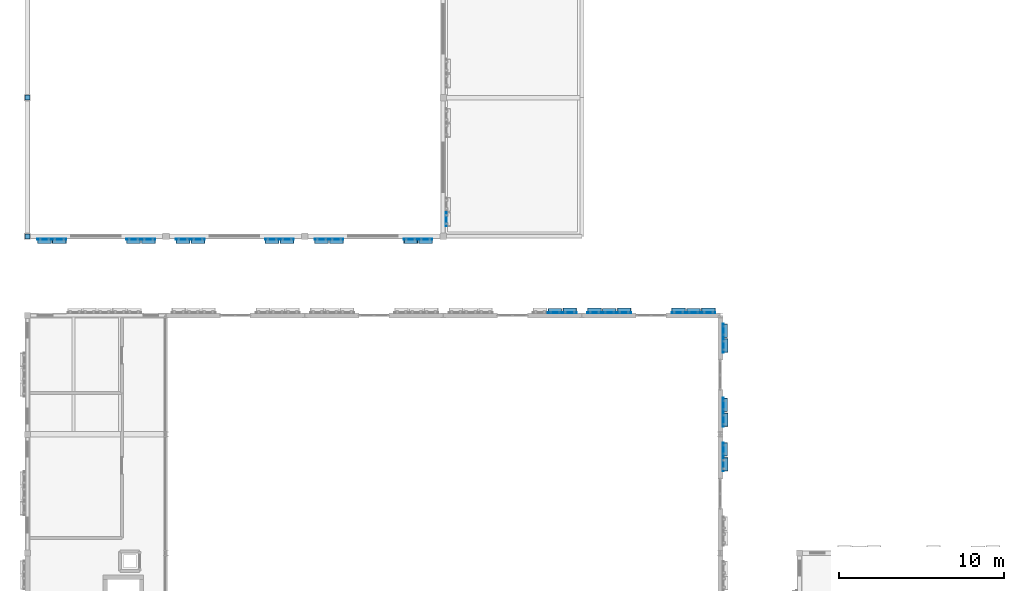
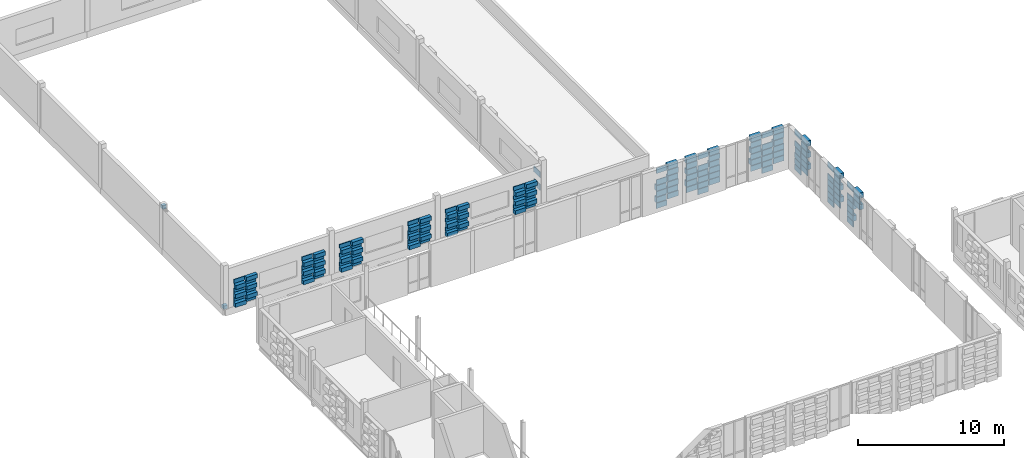
# One storey, part 30 of 57: 157 plates.
"""IFC4 building model written with IfcOpenShell, lengths in metres."""

from ifc_helpers import new_model, si_unit, direction, frame, origin, origin_2d, place, context, subcontext, project, spatial, rectangle, extrude, material, layer, layer_set, type_object, element, save


model = new_model("IFC4")

# Units and contexts
model_context = context("Model", 3, precision=1e-05, world=origin(), true_north=direction((0.0, 1.0)))
body_context = subcontext(model_context, "Body", "Model", "MODEL_VIEW")
ifc_project = project(units=[si_unit("LENGTHUNIT", "METRE"), si_unit("AREAUNIT", "SQUARE_METRE"), si_unit("VOLUMEUNIT", "CUBIC_METRE"), si_unit("PLANEANGLEUNIT", "RADIAN"), si_unit("MASSUNIT", "GRAM", prefix="KILO")], contexts=[model_context])

# Site, building, storey
site_placement = place(None, origin())
site = spatial("IfcSite", under=ifc_project, at=site_placement, CompositionType="ELEMENT")
building_placement = place(site_placement, origin())
building = spatial("IfcBuilding", under=site, at=building_placement, Name="Kahlenmark Community Centre", CompositionType="ELEMENT")
storey_placement = place(building_placement, frame((0.0, 0.0, 13.800048828125)))
storey = spatial("IfcBuildingStorey", under=building, at=storey_placement, Name="L03", CompositionType="ELEMENT", Elevation=13.800048828125)

# Plates
ifc_material_1 = material(Name="Extruded warm terracotta recessed weave tile", Category="masonry")
ifc_layer_1 = layer(ifc_material_1, 0.06005859375)
ifc_layer_set_1 = layer_set([ifc_layer_1], Name="Extruded warm terracotta recessed weave tile")
plate_type_1 = type_object("IfcPlateType", Name="PLT-TC-TC-R10-840X60X333", PredefinedType="SHEET", material=ifc_layer_set_1)
for number, where, z_axis, x_axis, name in (
    (1, (5.929931640625, 42.219970703125, 0.099853515625), (0.0, 0.0, 1.0), (1.0, 0.0, 0.0), "Basketweave terracotta cassette 3962"),
    (2, (5.929931640625, 42.219970703125, 0.845947265625), (0.0, 0.0, 1.0), (1.0, 0.0, 0.0), "Basketweave terracotta cassette 3964"),
    (3, (5.929931640625, 42.219970703125, 1.592041015625), (0.0, 0.0, 1.0), (1.0, 0.0, 0.0), "Basketweave terracotta cassette 3966"),
    (4, (11.330078125, 42.219970703125, 0.099853515625), (0.0, 0.0, 1.0), (1.0, 0.0, 0.0), "Basketweave terracotta cassette 3974"),
    (5, (11.330078125, 42.219970703125, 0.845947265625), (0.0, 0.0, 1.0), (1.0, 0.0, 0.0), "Basketweave terracotta cassette 3976"),
    (6, (11.330078125, 42.219970703125, 1.592041015625), (0.0, 0.0, 1.0), (1.0, 0.0, 0.0), "Basketweave terracotta cassette 3978"),
    (7, (14.330078125, 42.219970703125, 0.099853515625), (0.0, 0.0, 1.0), (1.0, 0.0, 0.0), "Basketweave terracotta cassette 3986"),
    (8, (14.330078125, 42.219970703125, 0.845947265625), (0.0, 0.0, 1.0), (1.0, 0.0, 0.0), "Basketweave terracotta cassette 3988"),
    (9, (14.330078125, 42.219970703125, 1.592041015625), (0.0, 0.0, 1.0), (1.0, 0.0, 0.0), "Basketweave terracotta cassette 3990"),
    (10, (19.72998046875, 42.219970703125, 0.099853515625), (0.0, 0.0, 1.0), (1.0, 0.0, 0.0), "Basketweave terracotta cassette 3998"),
    (11, (19.72998046875, 42.219970703125, 0.845947265625), (0.0, 0.0, 1.0), (1.0, 0.0, 0.0), "Basketweave terracotta cassette 4000"),
    (12, (19.72998046875, 42.219970703125, 1.592041015625), (0.0, 0.0, 1.0), (1.0, 0.0, 0.0), "Basketweave terracotta cassette 4002"),
    (13, (22.72998046875, 42.219970703125, 0.099853515625), (0.0, 0.0, 1.0), (1.0, 0.0, 0.0), "Basketweave terracotta cassette 4010"),
    (14, (22.72998046875, 42.219970703125, 0.845947265625), (0.0, 0.0, 1.0), (1.0, 0.0, 0.0), "Basketweave terracotta cassette 4012"),
    (15, (22.72998046875, 42.219970703125, 1.592041015625), (0.0, 0.0, 1.0), (1.0, 0.0, 0.0), "Basketweave terracotta cassette 4014"),
    (16, (28.1298828125, 42.219970703125, 0.099853515625), (0.0, 0.0, 1.0), (1.0, 0.0, 0.0), "Basketweave terracotta cassette 4022"),
    (17, (28.1298828125, 42.219970703125, 0.845947265625), (0.0, 0.0, 1.0), (1.0, 0.0, 0.0), "Basketweave terracotta cassette 4024"),
    (18, (28.1298828125, 42.219970703125, 1.592041015625), (0.0, 0.0, 1.0), (1.0, 0.0, 0.0), "Basketweave terracotta cassette 4026"),
):
    element("IfcPlate", number, at=place(storey_placement, frame(where, z_axis=z_axis, x_axis=x_axis)), inside=storey, type_object=plate_type_1, Name=name, PredefinedType="SHEET", context=body_context, shape_type="SweptSolid", body=[
        extrude(rectangle(XDim=0.840087890625, YDim=0.06005859375, at=origin_2d()), origin(), (0.0, 0.0, 1.0), 0.3330078125),
    ])
ifc_layer_2 = layer(ifc_material_1, 0.06005859375)
ifc_layer_set_2 = layer_set([ifc_layer_2], Name="Extruded warm terracotta recessed weave tile")
plate_type_2 = type_object("IfcPlateType", Name="PLT-TC-TC-R10-840X60X450", PredefinedType="SHEET", material=ifc_layer_set_2)
for number, where, z_axis, x_axis, name in (
    (19, (35.969970703125, 37.780029296875, 0.10009765625), (0.0, 0.0, 1.0), (-1.0, 0.0, 0.0), "Basketweave terracotta cassette 3683"),
    (20, (35.969970703125, 37.780029296875, 1.080078125), (0.0, 0.0, 1.0), (-1.0, 0.0, 0.0), "Basketweave terracotta cassette 3685"),
    (21, (35.969970703125, 37.780029296875, 2.06005859375), (0.0, 0.0, 1.0), (-1.0, 0.0, 0.0), "Basketweave terracotta cassette 3687"),
    (22, (35.969970703125, 37.780029296875, 3.0400390625), (0.0, 0.0, 1.0), (-1.0, 0.0, 0.0), "Basketweave terracotta cassette 3689"),
    (23, (44.3701171875, 37.780029296875, 0.10009765625), (0.0, 0.0, 1.0), (-1.0, 0.0, 0.0), "Basketweave terracotta cassette 3725"),
    (24, (44.3701171875, 37.780029296875, 1.080078125), (0.0, 0.0, 1.0), (-1.0, 0.0, 0.0), "Basketweave terracotta cassette 3727"),
    (25, (44.3701171875, 37.780029296875, 2.06005859375), (0.0, 0.0, 1.0), (-1.0, 0.0, 0.0), "Basketweave terracotta cassette 3729"),
    (26, (44.3701171875, 37.780029296875, 3.0400390625), (0.0, 0.0, 1.0), (-1.0, 0.0, 0.0), "Basketweave terracotta cassette 3731"),
    (27, (39.27001953125, 37.780029296875, 0.10009765625), (0.0, 0.0, 1.0), (-1.0, 0.0, 0.0), "Basketweave terracotta cassette 3746"),
    (28, (39.27001953125, 37.780029296875, 1.080078125), (0.0, 0.0, 1.0), (-1.0, 0.0, 0.0), "Basketweave terracotta cassette 3748"),
    (29, (39.27001953125, 37.780029296875, 2.06005859375), (0.0, 0.0, 1.0), (-1.0, 0.0, 0.0), "Basketweave terracotta cassette 3750"),
    (30, (39.27001953125, 37.780029296875, 3.0400390625), (0.0, 0.0, 1.0), (-1.0, 0.0, 0.0), "Basketweave terracotta cassette 3752"),
    (31, (46.179931640625, 29.47998046875, 0.10009765625), (0.0, 0.0, 1.0), (0.0, 1.0, 0.0), "Basketweave terracotta cassette 3921"),
    (32, (46.179931640625, 29.47998046875, 1.080078125), (0.0, 0.0, 1.0), (0.0, 1.0, 0.0), "Basketweave terracotta cassette 3923"),
    (33, (46.179931640625, 29.47998046875, 2.06005859375), (0.0, 0.0, 1.0), (0.0, 1.0, 0.0), "Basketweave terracotta cassette 3925"),
    (34, (46.179931640625, 29.47998046875, 3.0400390625), (0.0, 0.0, 1.0), (0.0, 1.0, 0.0), "Basketweave terracotta cassette 3927"),
    (35, (46.179931640625, 32.179931640625, 0.10009765625), (0.0, 0.0, 1.0), (0.0, 1.0, 0.0), "Basketweave terracotta cassette 3935"),
    (36, (46.179931640625, 32.179931640625, 1.080078125), (0.0, 0.0, 1.0), (0.0, 1.0, 0.0), "Basketweave terracotta cassette 3937"),
    (37, (46.179931640625, 32.179931640625, 2.06005859375), (0.0, 0.0, 1.0), (0.0, 1.0, 0.0), "Basketweave terracotta cassette 3939"),
    (38, (46.179931640625, 32.179931640625, 3.0400390625), (0.0, 0.0, 1.0), (0.0, 1.0, 0.0), "Basketweave terracotta cassette 3941"),
    (39, (46.179931640625, 36.679931640625, 0.10009765625), (0.0, 0.0, 1.0), (0.0, 1.0, 0.0), "Basketweave terracotta cassette 3949"),
    (40, (46.179931640625, 36.679931640625, 1.080078125), (0.0, 0.0, 1.0), (0.0, 1.0, 0.0), "Basketweave terracotta cassette 3951"),
    (41, (46.179931640625, 36.679931640625, 2.06005859375), (0.0, 0.0, 1.0), (0.0, 1.0, 0.0), "Basketweave terracotta cassette 3953"),
    (42, (46.179931640625, 36.679931640625, 3.0400390625), (0.0, 0.0, 1.0), (0.0, 1.0, 0.0), "Basketweave terracotta cassette 3955"),
):
    element("IfcPlate", number, at=place(storey_placement, frame(where, z_axis=z_axis, x_axis=x_axis)), inside=storey, type_object=plate_type_2, Name=name, PredefinedType="SHEET", context=body_context, shape_type="SweptSolid", body=[
        extrude(rectangle(XDim=0.840087890625, YDim=0.06005859375, at=origin_2d()), origin(), (0.0, 0.0, 1.0), 0.449951171875),
    ])
ifc_layer_3 = layer(ifc_material_1, 0.06005859375)
ifc_layer_set_3 = layer_set([ifc_layer_3], Name="Extruded warm terracotta recessed weave tile")
plate_type_3 = type_object("IfcPlateType", Name="PLT-TC-TC-R10-860X60X333", PredefinedType="SHEET", material=ifc_layer_set_3)
for number, where, z_axis, x_axis, name in (
    (43, (5.030029296875, 42.219970703125, 0.472900390625), (0.0, 0.0, 1.0), (1.0, 0.0, 0.0), "Basketweave terracotta cassette 3957"),
    (44, (5.030029296875, 42.219970703125, 1.218994140625), (0.0, 0.0, 1.0), (1.0, 0.0, 0.0), "Basketweave terracotta cassette 3959"),
    (45, (5.030029296875, 42.219970703125, 1.96484375), (0.0, 0.0, 1.0), (1.0, 0.0, 0.0), "Basketweave terracotta cassette 3961"),
    (46, (10.429931640625, 42.219970703125, 0.472900390625), (0.0, 0.0, 1.0), (1.0, 0.0, 0.0), "Basketweave terracotta cassette 3969"),
    (47, (10.429931640625, 42.219970703125, 1.218994140625), (0.0, 0.0, 1.0), (1.0, 0.0, 0.0), "Basketweave terracotta cassette 3971"),
    (48, (10.429931640625, 42.219970703125, 1.96484375), (0.0, 0.0, 1.0), (1.0, 0.0, 0.0), "Basketweave terracotta cassette 3973"),
    (49, (13.429931640625, 42.219970703125, 0.472900390625), (0.0, 0.0, 1.0), (1.0, 0.0, 0.0), "Basketweave terracotta cassette 3981"),
    (50, (13.429931640625, 42.219970703125, 1.218994140625), (0.0, 0.0, 1.0), (1.0, 0.0, 0.0), "Basketweave terracotta cassette 3983"),
    (51, (13.429931640625, 42.219970703125, 1.96484375), (0.0, 0.0, 1.0), (1.0, 0.0, 0.0), "Basketweave terracotta cassette 3985"),
    (52, (18.830078125, 42.219970703125, 0.472900390625), (0.0, 0.0, 1.0), (1.0, 0.0, 0.0), "Basketweave terracotta cassette 3993"),
    (53, (18.830078125, 42.219970703125, 1.218994140625), (0.0, 0.0, 1.0), (1.0, 0.0, 0.0), "Basketweave terracotta cassette 3995"),
    (54, (18.830078125, 42.219970703125, 1.96484375), (0.0, 0.0, 1.0), (1.0, 0.0, 0.0), "Basketweave terracotta cassette 3997"),
    (55, (21.830078125, 42.219970703125, 0.472900390625), (0.0, 0.0, 1.0), (1.0, 0.0, 0.0), "Basketweave terracotta cassette 4005"),
    (56, (21.830078125, 42.219970703125, 1.218994140625), (0.0, 0.0, 1.0), (1.0, 0.0, 0.0), "Basketweave terracotta cassette 4007"),
    (57, (21.830078125, 42.219970703125, 1.96484375), (0.0, 0.0, 1.0), (1.0, 0.0, 0.0), "Basketweave terracotta cassette 4009"),
    (58, (27.22998046875, 42.219970703125, 0.472900390625), (0.0, 0.0, 1.0), (1.0, 0.0, 0.0), "Basketweave terracotta cassette 4017"),
    (59, (27.22998046875, 42.219970703125, 1.218994140625), (0.0, 0.0, 1.0), (1.0, 0.0, 0.0), "Basketweave terracotta cassette 4019"),
    (60, (27.22998046875, 42.219970703125, 1.96484375), (0.0, 0.0, 1.0), (1.0, 0.0, 0.0), "Basketweave terracotta cassette 4021"),
):
    element("IfcPlate", number, at=place(storey_placement, frame(where, z_axis=z_axis, x_axis=x_axis)), inside=storey, type_object=plate_type_3, Name=name, PredefinedType="SHEET", context=body_context, shape_type="SweptSolid", body=[
        extrude(rectangle(XDim=0.860107421875, YDim=0.06005859375, at=origin_2d()), origin(), (0.0, 0.0, 1.0), 0.3330078125),
    ])
ifc_layer_4 = layer(ifc_material_1, 0.06005859375)
ifc_layer_set_4 = layer_set([ifc_layer_4], Name="Extruded warm terracotta recessed weave tile")
plate_type_4 = type_object("IfcPlateType", Name="PLT-TC-TC-R10-860X60X450", PredefinedType="SHEET", material=ifc_layer_set_4)
for number, where, z_axis, x_axis, name in (
    (61, (36.8701171875, 37.780029296875, 0.58984375), (0.0, 0.0, 1.0), (-1.0, 0.0, 0.0), "Basketweave terracotta cassette 3677"),
    (62, (36.8701171875, 37.780029296875, 1.56982421875), (0.0, 0.0, 1.0), (-1.0, 0.0, 0.0), "Basketweave terracotta cassette 3679"),
    (63, (36.8701171875, 37.780029296875, 2.5498046875), (0.0, 0.0, 1.0), (-1.0, 0.0, 0.0), "Basketweave terracotta cassette 3681"),
    (64, (45.27001953125, 37.780029296875, 0.58984375), (0.0, 0.0, 1.0), (-1.0, 0.0, 0.0), "Basketweave terracotta cassette 3719"),
    (65, (45.27001953125, 37.780029296875, 1.56982421875), (0.0, 0.0, 1.0), (-1.0, 0.0, 0.0), "Basketweave terracotta cassette 3721"),
    (66, (45.27001953125, 37.780029296875, 2.5498046875), (0.0, 0.0, 1.0), (-1.0, 0.0, 0.0), "Basketweave terracotta cassette 3723"),
    (67, (43.469970703125, 37.780029296875, 0.58984375), (0.0, 0.0, 1.0), (-1.0, 0.0, 0.0), "Basketweave terracotta cassette 3733"),
    (68, (43.469970703125, 37.780029296875, 1.56982421875), (0.0, 0.0, 1.0), (-1.0, 0.0, 0.0), "Basketweave terracotta cassette 3735"),
    (69, (43.469970703125, 37.780029296875, 2.5498046875), (0.0, 0.0, 1.0), (-1.0, 0.0, 0.0), "Basketweave terracotta cassette 3737"),
    (70, (40.169921875, 37.780029296875, 0.58984375), (0.0, 0.0, 1.0), (-1.0, 0.0, 0.0), "Basketweave terracotta cassette 3740"),
    (71, (40.169921875, 37.780029296875, 1.56982421875), (0.0, 0.0, 1.0), (-1.0, 0.0, 0.0), "Basketweave terracotta cassette 3742"),
    (72, (40.169921875, 37.780029296875, 2.5498046875), (0.0, 0.0, 1.0), (-1.0, 0.0, 0.0), "Basketweave terracotta cassette 3744"),
    (73, (38.3701171875, 37.780029296875, 0.58984375), (0.0, 0.0, 1.0), (-1.0, 0.0, 0.0), "Basketweave terracotta cassette 3754"),
    (74, (38.3701171875, 37.780029296875, 1.56982421875), (0.0, 0.0, 1.0), (-1.0, 0.0, 0.0), "Basketweave terracotta cassette 3756"),
    (75, (38.3701171875, 37.780029296875, 2.5498046875), (0.0, 0.0, 1.0), (-1.0, 0.0, 0.0), "Basketweave terracotta cassette 3758"),
    (76, (46.179931640625, 28.580078125, 2.5498046875), (0.0, 0.0, 1.0), (0.0, 1.0, 0.0), "Basketweave terracotta cassette 3919"),
    (77, (46.179931640625, 31.280029296875, 0.58984375), (0.0, 0.0, 1.0), (0.0, 1.0, 0.0), "Basketweave terracotta cassette 3929"),
    (78, (46.179931640625, 31.280029296875, 1.56982421875), (0.0, 0.0, 1.0), (0.0, 1.0, 0.0), "Basketweave terracotta cassette 3931"),
    (79, (46.179931640625, 31.280029296875, 2.5498046875), (0.0, 0.0, 1.0), (0.0, 1.0, 0.0), "Basketweave terracotta cassette 3933"),
    (80, (46.179931640625, 35.780029296875, 0.58984375), (0.0, 0.0, 1.0), (0.0, 1.0, 0.0), "Basketweave terracotta cassette 3943"),
    (81, (46.179931640625, 35.780029296875, 1.56982421875), (0.0, 0.0, 1.0), (0.0, 1.0, 0.0), "Basketweave terracotta cassette 3945"),
    (82, (46.179931640625, 35.780029296875, 2.5498046875), (0.0, 0.0, 1.0), (0.0, 1.0, 0.0), "Basketweave terracotta cassette 3947"),
):
    element("IfcPlate", number, at=place(storey_placement, frame(where, z_axis=z_axis, x_axis=x_axis)), inside=storey, type_object=plate_type_4, Name=name, PredefinedType="SHEET", context=body_context, shape_type="SweptSolid", body=[
        extrude(rectangle(XDim=0.860107421875, YDim=0.06005859375, at=origin_2d()), origin(), (0.0, 0.0, 1.0), 0.449951171875),
    ])
ifc_layer_5 = layer(ifc_material_1, 0.06005859375)
ifc_layer_set_5 = layer_set([ifc_layer_5], Name="Extruded warm terracotta recessed weave tile")
plate_type_5 = type_object("IfcPlateType", Name="PLT-TC-TC-R10-860X60X487", PredefinedType="SHEET", material=ifc_layer_set_5)
for number, where, z_axis, x_axis, name in (
    (83, (29.3798828125, 43.429931640625, 0.626953125), (0.0, 0.0, 1.0), (0.0, 1.0, 0.0), "Basketweave terracotta cassette 4101"),
    (84, (29.3798828125, 43.429931640625, 1.68115234375), (0.0, 0.0, 1.0), (0.0, 1.0, 0.0), "Basketweave terracotta cassette 4103"),
):
    element("IfcPlate", number, at=place(storey_placement, frame(where, z_axis=z_axis, x_axis=x_axis)), inside=storey, type_object=plate_type_5, Name=name, PredefinedType="SHEET", context=body_context, shape_type="SweptSolid", body=[
        extrude(rectangle(XDim=0.860107421875, YDim=0.06005859375, at=origin_2d()), origin(), (0.0, 0.0, 1.0), 0.487060546875),
    ])
ifc_material_2 = material(Name="Extruded glazed terracotta weave cassette", Category="masonry")
ifc_layer_6 = layer(ifc_material_2, 0.300048828125)
ifc_layer_set_6 = layer_set([ifc_layer_6], Name="Extruded glazed terracotta weave cassette")
plate_type_6 = type_object("IfcPlateType", Name="PLT-TC-TC-R34-780X300X333", PredefinedType="SHEET", material=ifc_layer_set_6)
for number, where, z_axis, x_axis, name in (
    (85, (5.030029296875, 42.10009765625, 1.592041015625), (0.0, 0.0, 1.0), (1.0, 0.0, 0.0), "Basketweave terracotta cassette 3960"),
    (86, (10.429931640625, 42.10009765625, 1.592041015625), (0.0, 0.0, 1.0), (1.0, 0.0, 0.0), "Basketweave terracotta cassette 3972"),
    (87, (13.429931640625, 42.10009765625, 1.592041015625), (0.0, 0.0, 1.0), (1.0, 0.0, 0.0), "Basketweave terracotta cassette 3984"),
    (88, (18.830078125, 42.10009765625, 1.592041015625), (0.0, 0.0, 1.0), (1.0, 0.0, 0.0), "Basketweave terracotta cassette 3996"),
    (89, (21.830078125, 42.10009765625, 1.592041015625), (0.0, 0.0, 1.0), (1.0, 0.0, 0.0), "Basketweave terracotta cassette 4008"),
    (90, (27.22998046875, 42.10009765625, 1.592041015625), (0.0, 0.0, 1.0), (1.0, 0.0, 0.0), "Basketweave terracotta cassette 4020"),
):
    element("IfcPlate", number, at=place(storey_placement, frame(where, z_axis=z_axis, x_axis=x_axis)), inside=storey, type_object=plate_type_6, Name=name, PredefinedType="SHEET", context=body_context, shape_type="SweptSolid", body=[
        extrude(rectangle(XDim=0.780029296875, YDim=0.300048828125, at=origin_2d()), origin(), (0.0, 0.0, 1.0), 0.3330078125),
    ])
ifc_layer_7 = layer(ifc_material_2, 0.300048828125)
ifc_layer_set_7 = layer_set([ifc_layer_7], Name="Extruded glazed terracotta weave cassette")
plate_type_7 = type_object("IfcPlateType", Name="PLT-TC-TC-R34-780X300X450", PredefinedType="SHEET", material=ifc_layer_set_7)
for number, where, z_axis, x_axis, name in (
    (91, (36.8701171875, 37.89990234375, 2.06005859375), (0.0, 0.0, 1.0), (-1.0, 0.0, 0.0), "Basketweave terracotta cassette 3680"),
    (92, (45.27001953125, 37.89990234375, 2.06005859375), (0.0, 0.0, 1.0), (-1.0, 0.0, 0.0), "Basketweave terracotta cassette 3722"),
    (93, (43.469970703125, 37.89990234375, 2.06005859375), (0.0, 0.0, 1.0), (-1.0, 0.0, 0.0), "Basketweave terracotta cassette 3736"),
    (94, (40.169921875, 37.89990234375, 2.06005859375), (0.0, 0.0, 1.0), (-1.0, 0.0, 0.0), "Basketweave terracotta cassette 3743"),
    (95, (38.3701171875, 37.89990234375, 2.06005859375), (0.0, 0.0, 1.0), (-1.0, 0.0, 0.0), "Basketweave terracotta cassette 3757"),
    (96, (46.300048828125, 28.580078125, 2.06005859375), (0.0, 0.0, 1.0), (0.0, 1.0, 0.0), "Basketweave terracotta cassette 3918"),
    (97, (46.300048828125, 31.280029296875, 2.06005859375), (0.0, 0.0, 1.0), (0.0, 1.0, 0.0), "Basketweave terracotta cassette 3932"),
    (98, (46.300048828125, 35.780029296875, 2.06005859375), (0.0, 0.0, 1.0), (0.0, 1.0, 0.0), "Basketweave terracotta cassette 3946"),
):
    element("IfcPlate", number, at=place(storey_placement, frame(where, z_axis=z_axis, x_axis=x_axis)), inside=storey, type_object=plate_type_7, Name=name, PredefinedType="SHEET", context=body_context, shape_type="SweptSolid", body=[
        extrude(rectangle(XDim=0.780029296875, YDim=0.300048828125, at=origin_2d()), origin(), (0.0, 0.0, 1.0), 0.449951171875),
    ])
ifc_layer_8 = layer(ifc_material_2, 0.300048828125)
ifc_layer_set_8 = layer_set([ifc_layer_8], Name="Extruded glazed terracotta weave cassette")
plate_type_8 = type_object("IfcPlateType", Name="PLT-TC-TC-R34-820X300X450", PredefinedType="SHEET", material=ifc_layer_set_8)
for number, where, z_axis, x_axis, name in (
    (99, (36.8701171875, 37.89990234375, 3.0400390625), (0.0, 0.0, 1.0), (-1.0, 0.0, 0.0), "Basketweave terracotta cassette 3682"),
    (100, (45.27001953125, 37.89990234375, 3.0400390625), (0.0, 0.0, 1.0), (-1.0, 0.0, 0.0), "Basketweave terracotta cassette 3724"),
    (101, (43.469970703125, 37.89990234375, 3.0400390625), (0.0, 0.0, 1.0), (-1.0, 0.0, 0.0), "Basketweave terracotta cassette 3738"),
    (102, (40.169921875, 37.89990234375, 3.0400390625), (0.0, 0.0, 1.0), (-1.0, 0.0, 0.0), "Basketweave terracotta cassette 3745"),
    (103, (38.3701171875, 37.89990234375, 3.0400390625), (0.0, 0.0, 1.0), (-1.0, 0.0, 0.0), "Basketweave terracotta cassette 3759"),
    (104, (46.300048828125, 28.580078125, 3.0400390625), (0.0, 0.0, 1.0), (0.0, 1.0, 0.0), "Basketweave terracotta cassette 3920"),
    (105, (46.300048828125, 31.280029296875, 3.0400390625), (0.0, 0.0, 1.0), (0.0, 1.0, 0.0), "Basketweave terracotta cassette 3934"),
    (106, (46.300048828125, 35.780029296875, 3.0400390625), (0.0, 0.0, 1.0), (0.0, 1.0, 0.0), "Basketweave terracotta cassette 3948"),
):
    element("IfcPlate", number, at=place(storey_placement, frame(where, z_axis=z_axis, x_axis=x_axis)), inside=storey, type_object=plate_type_8, Name=name, PredefinedType="SHEET", context=body_context, shape_type="SweptSolid", body=[
        extrude(rectangle(XDim=0.820068359375, YDim=0.300048828125, at=origin_2d()), origin(), (0.0, 0.0, 1.0), 0.449951171875),
    ])
ifc_layer_9 = layer(ifc_material_2, 0.300048828125)
ifc_layer_set_9 = layer_set([ifc_layer_9], Name="Extruded glazed terracotta weave cassette")
plate_type_9 = type_object("IfcPlateType", Name="PLT-TC-TC-R34-840X300X333", PredefinedType="SHEET", material=ifc_layer_set_9)
for number, where, z_axis, x_axis, name in (
    (107, (5.030029296875, 42.10009765625, 0.845947265625), (0.0, 0.0, 1.0), (1.0, 0.0, 0.0), "Basketweave terracotta cassette 3958"),
    (108, (10.429931640625, 42.10009765625, 0.845947265625), (0.0, 0.0, 1.0), (1.0, 0.0, 0.0), "Basketweave terracotta cassette 3970"),
    (109, (13.429931640625, 42.10009765625, 0.845947265625), (0.0, 0.0, 1.0), (1.0, 0.0, 0.0), "Basketweave terracotta cassette 3982"),
    (110, (18.830078125, 42.10009765625, 0.845947265625), (0.0, 0.0, 1.0), (1.0, 0.0, 0.0), "Basketweave terracotta cassette 3994"),
    (111, (21.830078125, 42.10009765625, 0.845947265625), (0.0, 0.0, 1.0), (1.0, 0.0, 0.0), "Basketweave terracotta cassette 4006"),
    (112, (27.22998046875, 42.10009765625, 0.845947265625), (0.0, 0.0, 1.0), (1.0, 0.0, 0.0), "Basketweave terracotta cassette 4018"),
):
    element("IfcPlate", number, at=place(storey_placement, frame(where, z_axis=z_axis, x_axis=x_axis)), inside=storey, type_object=plate_type_9, Name=name, PredefinedType="SHEET", context=body_context, shape_type="SweptSolid", body=[
        extrude(rectangle(XDim=0.840087890625, YDim=0.300048828125, at=origin_2d()), origin(), (0.0, 0.0, 1.0), 0.3330078125),
    ])
ifc_layer_10 = layer(ifc_material_2, 0.300048828125)
ifc_layer_set_10 = layer_set([ifc_layer_10], Name="Extruded glazed terracotta weave cassette")
plate_type_10 = type_object("IfcPlateType", Name="PLT-TC-TC-R34-840X300X450", PredefinedType="SHEET", material=ifc_layer_set_10)
for number, where, z_axis, x_axis, name in (
    (113, (36.8701171875, 37.89990234375, 1.080078125), (0.0, 0.0, 1.0), (-1.0, 0.0, 0.0), "Basketweave terracotta cassette 3678"),
    (114, (45.27001953125, 37.89990234375, 1.080078125), (0.0, 0.0, 1.0), (-1.0, 0.0, 0.0), "Basketweave terracotta cassette 3720"),
    (115, (43.469970703125, 37.89990234375, 1.080078125), (0.0, 0.0, 1.0), (-1.0, 0.0, 0.0), "Basketweave terracotta cassette 3734"),
    (116, (40.169921875, 37.89990234375, 1.080078125), (0.0, 0.0, 1.0), (-1.0, 0.0, 0.0), "Basketweave terracotta cassette 3741"),
    (117, (38.3701171875, 37.89990234375, 1.080078125), (0.0, 0.0, 1.0), (-1.0, 0.0, 0.0), "Basketweave terracotta cassette 3755"),
    (118, (46.300048828125, 31.280029296875, 1.080078125), (0.0, 0.0, 1.0), (0.0, 1.0, 0.0), "Basketweave terracotta cassette 3930"),
    (119, (46.300048828125, 35.780029296875, 1.080078125), (0.0, 0.0, 1.0), (0.0, 1.0, 0.0), "Basketweave terracotta cassette 3944"),
):
    element("IfcPlate", number, at=place(storey_placement, frame(where, z_axis=z_axis, x_axis=x_axis)), inside=storey, type_object=plate_type_10, Name=name, PredefinedType="SHEET", context=body_context, shape_type="SweptSolid", body=[
        extrude(rectangle(XDim=0.840087890625, YDim=0.300048828125, at=origin_2d()), origin(), (0.0, 0.0, 1.0), 0.449951171875),
    ])
ifc_layer_11 = layer(ifc_material_2, 0.300048828125)
ifc_layer_set_11 = layer_set([ifc_layer_11], Name="Extruded glazed terracotta weave cassette")
plate_type_11 = type_object("IfcPlateType", Name="PLT-TC-TC-R34-860X300X333", PredefinedType="SHEET", material=ifc_layer_set_11)
for number, where, z_axis, x_axis, name in (
    (120, (5.030029296875, 42.10009765625, 0.099853515625), (0.0, 0.0, 1.0), (1.0, 0.0, 0.0), "Basketweave terracotta cassette 3956"),
    (121, (10.429931640625, 42.10009765625, 0.099853515625), (0.0, 0.0, 1.0), (1.0, 0.0, 0.0), "Basketweave terracotta cassette 3968"),
    (122, (13.429931640625, 42.10009765625, 0.099853515625), (0.0, 0.0, 1.0), (1.0, 0.0, 0.0), "Basketweave terracotta cassette 3980"),
    (123, (18.830078125, 42.10009765625, 0.099853515625), (0.0, 0.0, 1.0), (1.0, 0.0, 0.0), "Basketweave terracotta cassette 3992"),
    (124, (21.830078125, 42.10009765625, 0.099853515625), (0.0, 0.0, 1.0), (1.0, 0.0, 0.0), "Basketweave terracotta cassette 4004"),
    (125, (27.22998046875, 42.10009765625, 0.099853515625), (0.0, 0.0, 1.0), (1.0, 0.0, 0.0), "Basketweave terracotta cassette 4016"),
):
    element("IfcPlate", number, at=place(storey_placement, frame(where, z_axis=z_axis, x_axis=x_axis)), inside=storey, type_object=plate_type_11, Name=name, PredefinedType="SHEET", context=body_context, shape_type="SweptSolid", body=[
        extrude(rectangle(XDim=0.860107421875, YDim=0.300048828125, at=origin_2d()), origin(), (0.0, 0.0, 1.0), 0.3330078125),
    ])
ifc_layer_12 = layer(ifc_material_2, 0.280029296875)
ifc_layer_set_12 = layer_set([ifc_layer_12], Name="Extruded glazed terracotta weave cassette")
plate_type_12 = type_object("IfcPlateType", Name="PLT-TC-TC-W30-800X280X333", PredefinedType="SHEET", material=ifc_layer_set_12)
for number, where, z_axis, x_axis, name in (
    (126, (5.929931640625, 42.110107421875, 1.218994140625), (0.0, 0.0, 1.0), (1.0, 0.0, 0.0), "Basketweave terracotta cassette 3965"),
    (127, (11.330078125, 42.110107421875, 1.218994140625), (0.0, 0.0, 1.0), (1.0, 0.0, 0.0), "Basketweave terracotta cassette 3977"),
    (128, (14.330078125, 42.110107421875, 1.218994140625), (0.0, 0.0, 1.0), (1.0, 0.0, 0.0), "Basketweave terracotta cassette 3989"),
    (129, (19.72998046875, 42.110107421875, 1.218994140625), (0.0, 0.0, 1.0), (1.0, 0.0, 0.0), "Basketweave terracotta cassette 4001"),
    (130, (22.72998046875, 42.110107421875, 1.218994140625), (0.0, 0.0, 1.0), (1.0, 0.0, 0.0), "Basketweave terracotta cassette 4013"),
    (131, (28.1298828125, 42.110107421875, 1.218994140625), (0.0, 0.0, 1.0), (1.0, 0.0, 0.0), "Basketweave terracotta cassette 4025"),
):
    element("IfcPlate", number, at=place(storey_placement, frame(where, z_axis=z_axis, x_axis=x_axis)), inside=storey, type_object=plate_type_12, Name=name, PredefinedType="SHEET", context=body_context, shape_type="SweptSolid", body=[
        extrude(rectangle(XDim=0.800048828125, YDim=0.280029296875, at=origin_2d()), origin(), (0.0, 0.0, 1.0), 0.3330078125),
    ])
ifc_layer_13 = layer(ifc_material_2, 0.280029296875)
ifc_layer_set_13 = layer_set([ifc_layer_13], Name="Extruded glazed terracotta weave cassette")
plate_type_13 = type_object("IfcPlateType", Name="PLT-TC-TC-W30-800X280X450", PredefinedType="SHEET", material=ifc_layer_set_13)
for number, where, z_axis, x_axis, name in (
    (132, (35.969970703125, 37.889892578125, 1.56982421875), (0.0, 0.0, 1.0), (-1.0, 0.0, 0.0), "Basketweave terracotta cassette 3686"),
    (133, (44.3701171875, 37.889892578125, 1.56982421875), (0.0, 0.0, 1.0), (-1.0, 0.0, 0.0), "Basketweave terracotta cassette 3728"),
    (134, (39.27001953125, 37.889892578125, 1.56982421875), (0.0, 0.0, 1.0), (-1.0, 0.0, 0.0), "Basketweave terracotta cassette 3749"),
    (135, (46.2900390625, 29.47998046875, 1.56982421875), (0.0, 0.0, 1.0), (0.0, 1.0, 0.0), "Basketweave terracotta cassette 3924"),
    (136, (46.2900390625, 32.179931640625, 1.56982421875), (0.0, 0.0, 1.0), (0.0, 1.0, 0.0), "Basketweave terracotta cassette 3938"),
    (137, (46.2900390625, 36.679931640625, 1.56982421875), (0.0, 0.0, 1.0), (0.0, 1.0, 0.0), "Basketweave terracotta cassette 3952"),
):
    element("IfcPlate", number, at=place(storey_placement, frame(where, z_axis=z_axis, x_axis=x_axis)), inside=storey, type_object=plate_type_13, Name=name, PredefinedType="SHEET", context=body_context, shape_type="SweptSolid", body=[
        extrude(rectangle(XDim=0.800048828125, YDim=0.280029296875, at=origin_2d()), origin(), (0.0, 0.0, 1.0), 0.449951171875),
    ])
ifc_layer_14 = layer(ifc_material_2, 0.280029296875)
ifc_layer_set_14 = layer_set([ifc_layer_14], Name="Extruded glazed terracotta weave cassette")
plate_type_14 = type_object("IfcPlateType", Name="PLT-TC-TC-W30-820X280X333", PredefinedType="SHEET", material=ifc_layer_set_14)
for number, where, z_axis, x_axis, name in (
    (138, (5.929931640625, 42.110107421875, 0.472900390625), (0.0, 0.0, 1.0), (1.0, 0.0, 0.0), "Basketweave terracotta cassette 3963"),
    (139, (11.330078125, 42.110107421875, 0.472900390625), (0.0, 0.0, 1.0), (1.0, 0.0, 0.0), "Basketweave terracotta cassette 3975"),
    (140, (14.330078125, 42.110107421875, 0.472900390625), (0.0, 0.0, 1.0), (1.0, 0.0, 0.0), "Basketweave terracotta cassette 3987"),
    (141, (19.72998046875, 42.110107421875, 0.472900390625), (0.0, 0.0, 1.0), (1.0, 0.0, 0.0), "Basketweave terracotta cassette 3999"),
    (142, (22.72998046875, 42.110107421875, 0.472900390625), (0.0, 0.0, 1.0), (1.0, 0.0, 0.0), "Basketweave terracotta cassette 4011"),
    (143, (28.1298828125, 42.110107421875, 0.472900390625), (0.0, 0.0, 1.0), (1.0, 0.0, 0.0), "Basketweave terracotta cassette 4023"),
):
    element("IfcPlate", number, at=place(storey_placement, frame(where, z_axis=z_axis, x_axis=x_axis)), inside=storey, type_object=plate_type_14, Name=name, PredefinedType="SHEET", context=body_context, shape_type="SweptSolid", body=[
        extrude(rectangle(XDim=0.820068359375, YDim=0.280029296875, at=origin_2d()), origin(), (0.0, 0.0, 1.0), 0.3330078125),
    ])
ifc_layer_15 = layer(ifc_material_2, 0.280029296875)
ifc_layer_set_15 = layer_set([ifc_layer_15], Name="Extruded glazed terracotta weave cassette")
plate_type_15 = type_object("IfcPlateType", Name="PLT-TC-TC-W30-820X280X450", PredefinedType="SHEET", material=ifc_layer_set_15)
for number, where, z_axis, x_axis, name in (
    (144, (35.969970703125, 37.889892578125, 0.58984375), (0.0, 0.0, 1.0), (-1.0, 0.0, 0.0), "Basketweave terracotta cassette 3684"),
    (145, (44.3701171875, 37.889892578125, 0.58984375), (0.0, 0.0, 1.0), (-1.0, 0.0, 0.0), "Basketweave terracotta cassette 3726"),
    (146, (39.27001953125, 37.889892578125, 0.58984375), (0.0, 0.0, 1.0), (-1.0, 0.0, 0.0), "Basketweave terracotta cassette 3747"),
    (147, (46.2900390625, 29.47998046875, 0.58984375), (0.0, 0.0, 1.0), (0.0, 1.0, 0.0), "Basketweave terracotta cassette 3922"),
    (148, (46.2900390625, 32.179931640625, 0.58984375), (0.0, 0.0, 1.0), (0.0, 1.0, 0.0), "Basketweave terracotta cassette 3936"),
    (149, (46.2900390625, 36.679931640625, 0.58984375), (0.0, 0.0, 1.0), (0.0, 1.0, 0.0), "Basketweave terracotta cassette 3950"),
):
    element("IfcPlate", number, at=place(storey_placement, frame(where, z_axis=z_axis, x_axis=x_axis)), inside=storey, type_object=plate_type_15, Name=name, PredefinedType="SHEET", context=body_context, shape_type="SweptSolid", body=[
        extrude(rectangle(XDim=0.820068359375, YDim=0.280029296875, at=origin_2d()), origin(), (0.0, 0.0, 1.0), 0.449951171875),
    ])
ifc_layer_16 = layer(ifc_material_2, 0.280029296875)
ifc_layer_set_16 = layer_set([ifc_layer_16], Name="Extruded glazed terracotta weave cassette")
plate_type_16 = type_object("IfcPlateType", Name="PLT-TC-TC-W30-860X280X333", PredefinedType="SHEET", material=ifc_layer_set_16)
for number, where, z_axis, x_axis, name in (
    (150, (5.929931640625, 42.110107421875, 1.96484375), (0.0, 0.0, 1.0), (1.0, 0.0, 0.0), "Basketweave terracotta cassette 3967"),
    (151, (11.330078125, 42.110107421875, 1.96484375), (0.0, 0.0, 1.0), (1.0, 0.0, 0.0), "Basketweave terracotta cassette 3979"),
    (152, (14.330078125, 42.110107421875, 1.96484375), (0.0, 0.0, 1.0), (1.0, 0.0, 0.0), "Basketweave terracotta cassette 3991"),
    (153, (19.72998046875, 42.110107421875, 1.96484375), (0.0, 0.0, 1.0), (1.0, 0.0, 0.0), "Basketweave terracotta cassette 4003"),
    (154, (22.72998046875, 42.110107421875, 1.96484375), (0.0, 0.0, 1.0), (1.0, 0.0, 0.0), "Basketweave terracotta cassette 4015"),
    (155, (28.1298828125, 42.110107421875, 1.96484375), (0.0, 0.0, 1.0), (1.0, 0.0, 0.0), "Basketweave terracotta cassette 4027"),
):
    element("IfcPlate", number, at=place(storey_placement, frame(where, z_axis=z_axis, x_axis=x_axis)), inside=storey, type_object=plate_type_16, Name=name, PredefinedType="SHEET", context=body_context, shape_type="SweptSolid", body=[
        extrude(rectangle(XDim=0.860107421875, YDim=0.280029296875, at=origin_2d()), origin(), (0.0, 0.0, 1.0), 0.3330078125),
    ])
ifc_material_3 = material(Name="Steel S355", Category="steel")
ifc_layer_17 = layer(ifc_material_3, 0.02392578125)
ifc_layer_set_17 = layer_set([ifc_layer_17], Name="Steel S355")
plate_type_17 = type_object("IfcPlateType", Name="PT-NODE-BN-01-30X30X28", PredefinedType="USERDEFINED", material=ifc_layer_set_17)
for number, where, z_axis, x_axis, name in (
    (156, (4.0, 42.39990234375, 0.009765625), (0.0, 0.0, 1.0), (1.0, 0.0, 0.0), "Steel hollow-node cap plate 0345"),
    (157, (4.0, 50.800048828125, 3.31005859375), (0.0, 0.0, 1.0), (1.0, 0.0, 0.0), "Steel hollow-node cap plate 0346"),
):
    element("IfcPlate", number, at=place(storey_placement, frame(where, z_axis=z_axis, x_axis=x_axis)), inside=storey, type_object=plate_type_17, Name=name, ObjectType="STIFFENER_PLATE", PredefinedType="USERDEFINED", context=body_context, shape_type="SweptSolid", body=[
        extrude(rectangle(XDim=0.300048828125, YDim=0.300048828125, at=origin_2d()), origin(), (0.0, 0.0, 1.0), 0.280029296875),
    ])

save(model, "model.ifc")
